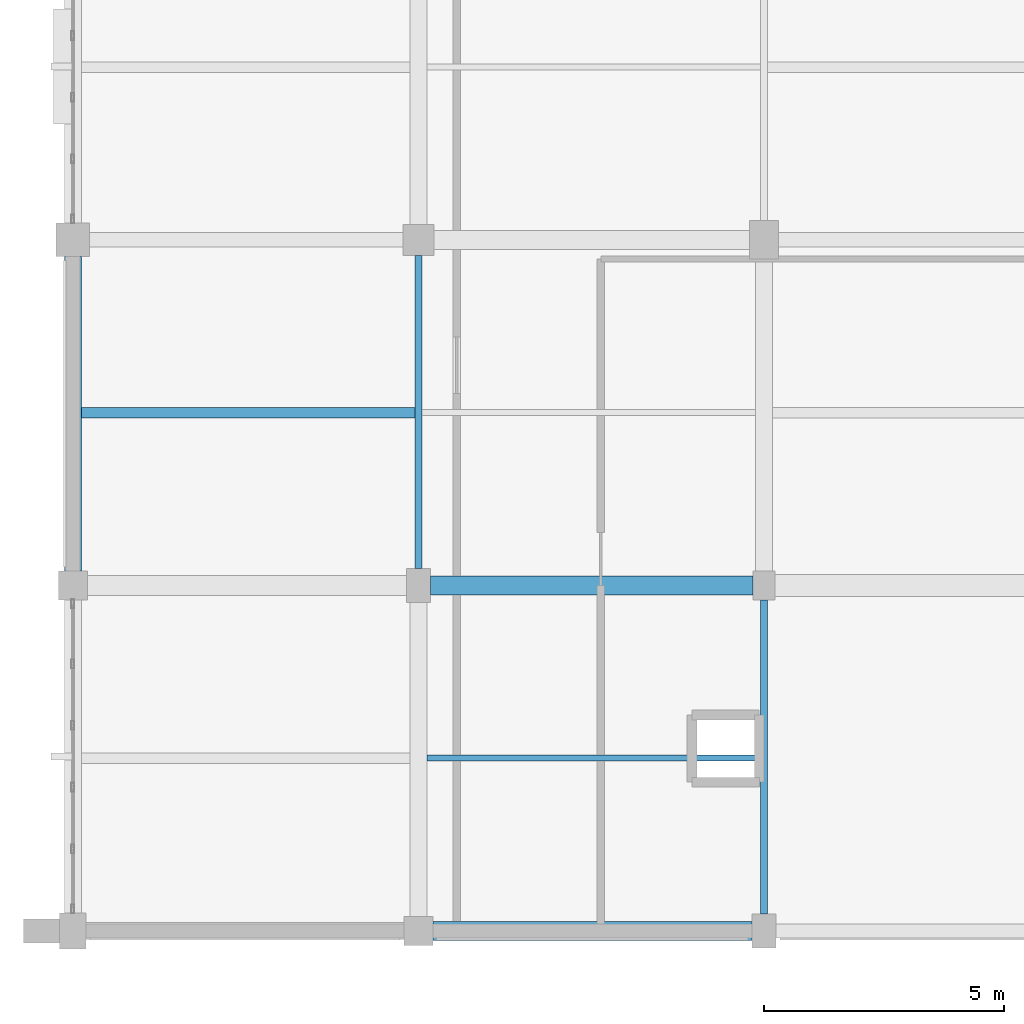
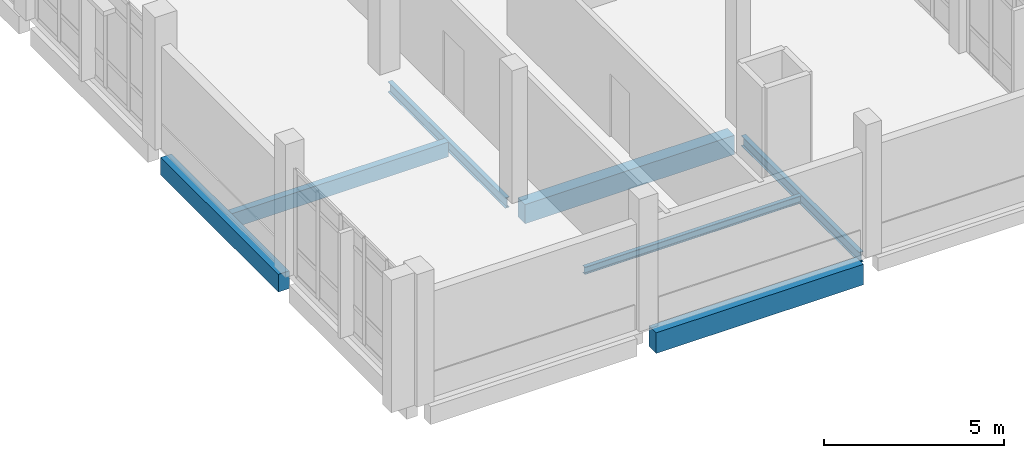
# One storey, part 10 of 116: 7 beams.
"""IFC4 building model written with IfcOpenShell, lengths in metres."""

from ifc_helpers import new_model, si_unit, direction, frame, origin, origin_2d, place, context, subcontext, project, spatial, rectangle, i_section, extrude, material, material_profile, profile_set, type_object, element, save


model = new_model("IFC4")

# Units and contexts
model_context = context("Model", 3, precision=1e-05, world=origin(), true_north=direction((0.0, 1.0)))
body_context = subcontext(model_context, "Body", "Model", "MODEL_VIEW")
ifc_project = project(units=[si_unit("LENGTHUNIT", "METRE"), si_unit("AREAUNIT", "SQUARE_METRE"), si_unit("VOLUMEUNIT", "CUBIC_METRE"), si_unit("PLANEANGLEUNIT", "RADIAN"), si_unit("MASSUNIT", "GRAM", prefix="KILO")], contexts=[model_context])

# Site, building, storey
site_placement = place(None, origin())
site = spatial("IfcSite", under=ifc_project, at=site_placement, CompositionType="ELEMENT")
building_placement = place(site_placement, origin())
building = spatial("IfcBuilding", under=site, at=building_placement, Name="Kalluvel Institute of Natural Sciences", CompositionType="ELEMENT")
storey_placement = place(building_placement, frame((0.0, 0.0, 14.39990234375)))
storey = spatial("IfcBuildingStorey", under=building, at=storey_placement, Name="L03", CompositionType="ELEMENT", Elevation=14.39990234375)

# Beams
ifc_material_1 = material(Name="Steel E350 Grade 350", Category="steel")
ifc_material_profile_1 = material_profile(ifc_material_1, i_section(OverallWidth=0.139892578125, OverallDepth=0.35009765625, WebThickness=0.008056640625, FlangeThickness=0.01416015625, FilletRadius=0.013916015625, at=origin_2d()), Name="ISMB 350")
ifc_profile_set_1 = profile_set([ifc_material_profile_1], Name="Steel E350 Grade 350")
beam_type_1 = type_object("IfcBeamType", Name="BM-ISMB350", PredefinedType="BEAM", material=ifc_profile_set_1)
beam_1_placement = place(storey_placement, frame((21.199951171875, 21.550048828125, -0.474853515625), z_axis=(0.0, 1.0, 0.0), x_axis=(-1.0, 0.0, 0.0)))
element("IfcBeam", 1, at=beam_1_placement, inside=storey, type_object=beam_type_1, Name="L03 girder GIR-L03-NS-X212-Y212", PredefinedType="BEAM", context=body_context, shape_type="SweptSolid", body=[
    extrude(i_section(OverallWidth=0.139892578125, OverallDepth=0.35009765625, WebThickness=0.008056640625, FlangeThickness=0.01416015625, FilletRadius=0.013916015625, at=origin_2d()), origin(), (0.0, 0.0, 1.0), 6.52490234375),
])
beam_2_placement = place(storey_placement, frame((28.39990234375, 14.35009765625, -0.474853515625), z_axis=(0.0, 1.0, 0.0), x_axis=(-1.0, 0.0, 0.0)))
element("IfcBeam", 2, at=beam_2_placement, inside=storey, type_object=beam_type_1, Name="L03 girder GIR-L03-NS-X284-Y140", PredefinedType="BEAM", context=body_context, shape_type="SweptSolid", body=[
    extrude(i_section(OverallWidth=0.139892578125, OverallDepth=0.35009765625, WebThickness=0.008056640625, FlangeThickness=0.01416015625, FilletRadius=0.013916015625, at=origin_2d()), origin(), (0.0, 0.0, 1.0), 6.5498046875),
])
ifc_material_2 = material(Name="Concrete M40", Category="concrete")
ifc_material_profile_2 = material_profile(ifc_material_2, rectangle(XDim=0.39990234375, YDim=0.64990234375, at=origin_2d()), Name="RCB 400x650")
ifc_profile_set_2 = profile_set([ifc_material_profile_2], Name="Concrete M40")
beam_type_2 = type_object("IfcBeamType", Name="BM-RC400x650", PredefinedType="BEAM", material=ifc_profile_set_2)
beam_3_placement = place(storey_placement, frame((21.449951171875, 21.199951171875, -0.625), z_axis=(1.0, 0.0, 0.0), x_axis=(0.0, 1.0, 0.0)))
element("IfcBeam", 3, at=beam_3_placement, inside=storey, type_object=beam_type_2, Name="L03 girder GIR-L03-EW-X212-Y212", PredefinedType="BEAM", context=body_context, shape_type="SweptSolid", body=[
    extrude(rectangle(XDim=0.39990234375, YDim=0.64990234375, at=origin_2d()), origin(), (0.0, 0.0, 1.0), 6.72509765625),
])
ifc_material_profile_3 = material_profile(ifc_material_2, rectangle(XDim=0.35009765625, YDim=0.60009765625, at=origin_2d()), Name="RCB 350x600")
ifc_profile_set_3 = profile_set([ifc_material_profile_3], Name="Concrete M40")
beam_type_3 = type_object("IfcBeamType", Name="SP-RC350x600", PredefinedType="SPANDREL", material=ifc_profile_set_3)
beam_4_placement = place(storey_placement, frame((14.0, 21.5, -0.599853515625), z_axis=(0.0, 1.0, 0.0), x_axis=(-1.0, 0.0, 0.0)))
element("IfcBeam", 4, at=beam_4_placement, inside=storey, type_object=beam_type_3, Name="L03 girder GIR-L03-NS-X140-Y212", PredefinedType="SPANDREL", context=body_context, shape_type="SweptSolid", body=[
    extrude(rectangle(XDim=0.35009765625, YDim=0.60009765625, at=origin_2d()), origin(), (0.0, 0.0, 1.0), 6.550048828125),
])
ifc_material_profile_4 = material_profile(ifc_material_2, rectangle(XDim=0.39990234375, YDim=0.699951171875, at=origin_2d()), Name="RCB 400x700")
ifc_profile_set_4 = profile_set([ifc_material_profile_4], Name="Concrete M40")
beam_type_4 = type_object("IfcBeamType", Name="SP-RC400x700", PredefinedType="SPANDREL", material=ifc_profile_set_4)
beam_5_placement = place(storey_placement, frame((21.5, 14.0, -0.64990234375), z_axis=(1.0, 0.0, 0.0), x_axis=(0.0, 1.0, 0.0)))
element("IfcBeam", 5, at=beam_5_placement, inside=storey, type_object=beam_type_4, Name="L03 girder GIR-L03-EW-X212-Y140", PredefinedType="SPANDREL", context=body_context, shape_type="SweptSolid", body=[
    extrude(rectangle(XDim=0.39990234375, YDim=0.699951171875, at=origin_2d()), origin(), (0.0, 0.0, 1.0), 6.64990234375),
])
ifc_material_profile_5 = material_profile(ifc_material_2, rectangle(XDim=0.219970703125, YDim=0.5, at=origin_2d()), Name="WAF 220x500")
ifc_profile_set_5 = profile_set([ifc_material_profile_5], Name="Concrete M40")
beam_type_5 = type_object("IfcBeamType", Name="WJ-220x500", PredefinedType="JOIST", material=ifc_profile_set_5)
beam_6_placement = place(storey_placement, frame((14.175048828125, 24.800048828125, -0.5498046875), z_axis=(1.0, 0.0, 0.0), x_axis=(0.0, 1.0, 0.0)))
element("IfcBeam", 6, at=beam_6_placement, inside=storey, type_object=beam_type_5, Name="L03 floor rib RIB-L03-0682", PredefinedType="JOIST", context=body_context, shape_type="SweptSolid", body=[
    extrude(rectangle(XDim=0.219970703125, YDim=0.5, at=origin_2d()), origin(), (0.0, 0.0, 1.0), 6.954833984375),
])
ifc_material_profile_6 = material_profile(ifc_material_1, i_section(OverallWidth=0.125, OverallDepth=0.25, WebThickness=0.0068359375, FlangeThickness=0.012451171875, FilletRadius=0.012939453125, at=origin_2d()), Name="ISMB 250")
ifc_profile_set_6 = profile_set([ifc_material_profile_6], Name="Steel E350 Grade 350")
beam_type_6 = type_object("IfcBeamType", Name="WJ-ISMB250", PredefinedType="JOIST", material=ifc_profile_set_6)
beam_7_placement = place(storey_placement, frame((21.375, 17.60009765625, -0.4248046875), z_axis=(1.0, 0.0, 0.0), x_axis=(0.0, 1.0, 0.0)))
element("IfcBeam", 7, at=beam_7_placement, inside=storey, type_object=beam_type_6, Name="L03 floor rib RIB-L03-0681", PredefinedType="JOIST", context=body_context, shape_type="SweptSolid", body=[
    extrude(i_section(OverallWidth=0.125, OverallDepth=0.25, WebThickness=0.0068359375, FlangeThickness=0.012451171875, FilletRadius=0.012939453125, at=origin_2d()), origin(), (0.0, 0.0, 1.0), 6.955078125),
])

save(model, "model.ifc")
